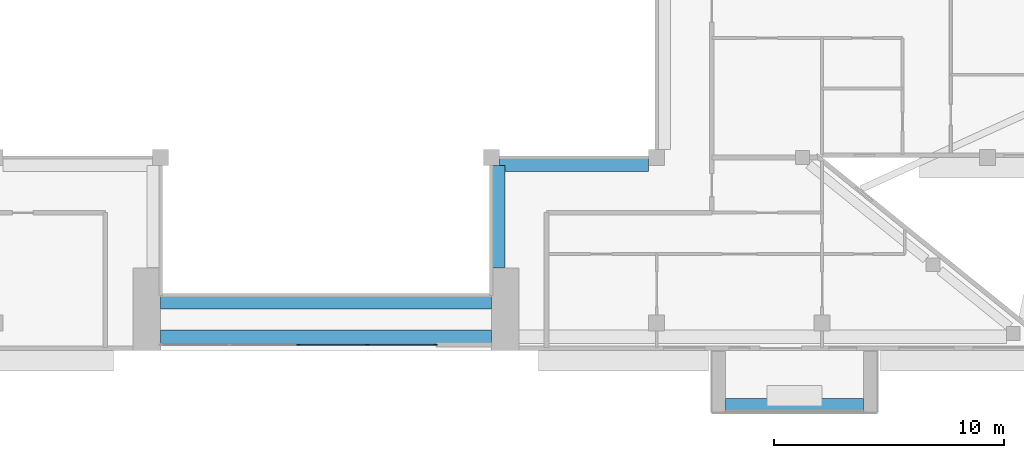
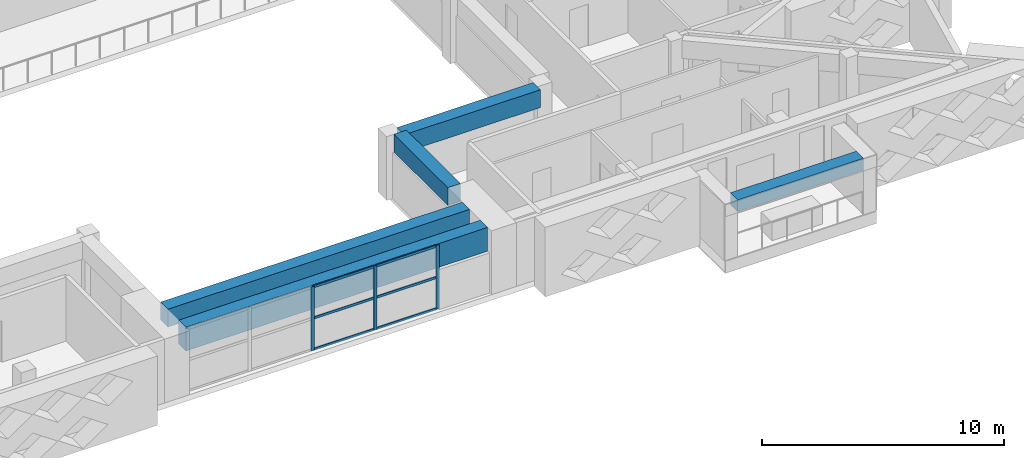
# One storey, part 4 of 19: 9 members, 5 beams, 1 element without a shape of its own.
"""IFC4 building model written with IfcOpenShell, lengths in metres."""

import ifcopenshell
import ifcopenshell.guid

model = None  # the IFC model being written
_history = None  # IfcOwnerHistory: only IFC2X3 demands one
_inside = {}  # id of a spatial element -> (the spatial element, [elements in it])
_under = {}  # id of a project, library or spatial element -> (it, [spatial elements below it])
_declared = {}  # id of a project -> (the project, [libraries it declares])
_typed = {}  # id of a type object -> (the type object, [elements of that type])
_made_of = {}  # id of a material, layer set ... -> (it, [elements and type objects made of it])


def new_model(schema):
    """Start an empty IFC model of exactly this schema.

    Asked for "IFC4X3", IfcOpenShell would pick the latest addendum, in which some entities
    have other attributes; the version numbers below select the first issue.
    IFC2X3 requires an IfcOwnerHistory on every rooted entity: one is made here for all.
    """
    global model, _history
    if schema == "IFC4X3":
        model = ifcopenshell.file(schema_version=(4, 3, 0, 0))
    else:
        model = ifcopenshell.file(schema=schema)
    _inside.clear()
    _under.clear()
    _declared.clear()
    _typed.clear()
    _made_of.clear()
    _history = None
    if model.schema == "IFC2X3":
        org = make("IfcOrganization", Name="unknown")
        user = make(
            "IfcPersonAndOrganization",
            ThePerson=make("IfcPerson", FamilyName="unknown"),
            TheOrganization=org,
        )
        app = make(
            "IfcApplication",
            ApplicationDeveloper=org,
            Version="unknown",
            ApplicationFullName="unknown",
            ApplicationIdentifier="unknown",
        )
        _history = make(
            "IfcOwnerHistory",
            OwningUser=user,
            OwningApplication=app,
            ChangeAction="ADDED",
            CreationDate=0,
        )
    return model


def make(cls, **values):
    """One entity of the class cls with the attributes given. An attribute that is None is left unset."""
    return model.create_entity(
        cls, **{name: value for name, value in values.items() if value is not None}
    )


def rooted(cls, **values):
    """An entity with a GlobalId (a new one), such as an element, a storey or a relation."""
    return make(cls, GlobalId=ifcopenshell.guid.new(), OwnerHistory=_history, **values)


def si_unit(unit_type, name, prefix=None):
    """IfcSIUnit, for example si_unit("LENGTHUNIT", "METRE", prefix="MILLI")."""
    return make("IfcSIUnit", UnitType=unit_type, Prefix=prefix, Name=name)


def assignment(units):
    """IfcUnitAssignment: the units of a project."""
    return None if units is None else make("IfcUnitAssignment", Units=units)


def point(xyz):
    """IfcCartesianPoint."""
    return None if xyz is None else make("IfcCartesianPoint", Coordinates=xyz)


def direction(xyz):
    """IfcDirection."""
    return None if xyz is None else make("IfcDirection", DirectionRatios=xyz)


def frame(location, z_axis=None, x_axis=None):
    """IfcAxis2Placement3D, a coordinate frame: its origin and axes. An axis left out is left unset."""
    return make(
        "IfcAxis2Placement3D",
        Location=point(location),
        Axis=direction(z_axis),
        RefDirection=direction(x_axis),
    )


def frame_2d(location, x_axis=None):
    """IfcAxis2Placement2D, a coordinate frame in the plane: its origin and x axis."""
    return make(
        "IfcAxis2Placement2D", Location=point(location), RefDirection=direction(x_axis)
    )


def origin():
    """The frame at (0, 0, 0) with its axes left unset."""
    return frame((0.0, 0.0, 0.0))


def origin_2d():
    """The frame at (0, 0) in the plane with its x axis left unset."""
    return frame_2d((0.0, 0.0))


def place(relative_to, where):
    """IfcLocalPlacement: puts the frame where relative to a parent placement (None: the world)."""
    return make(
        "IfcLocalPlacement", PlacementRelTo=relative_to, RelativePlacement=where
    )


def context(
    kind, dimensions, precision=None, world=None, true_north=None, identifier=None
):
    """IfcGeometricRepresentationContext, for example the 3D "Model" context."""
    return make(
        "IfcGeometricRepresentationContext",
        ContextIdentifier=identifier,
        ContextType=kind,
        CoordinateSpaceDimension=dimensions,
        Precision=precision,
        WorldCoordinateSystem=world,
        TrueNorth=true_north,
    )


def subcontext(parent, identifier, kind, view, scale=None):
    """IfcGeometricRepresentationSubContext, for example "Body" below "Model"."""
    return make(
        "IfcGeometricRepresentationSubContext",
        ContextIdentifier=identifier,
        ContextType=kind,
        ParentContext=parent,
        TargetScale=scale,
        TargetView=view,
    )


def project(units=None, contexts=None):
    """IfcProject with its units and contexts."""
    return rooted(
        "IfcProject",
        Name="project",
        RepresentationContexts=contexts,
        UnitsInContext=assignment(units),
    )


def spatial(cls, under=None, at=None, **own):
    """A site, building, storey or space (cls), placed at a placement, below another one or the project."""
    s = rooted(cls, ObjectPlacement=at, **own)
    if under is not None:
        _under.setdefault(under.id(), (under, []))[1].append(s)
    return s


def profile(cls, at=None, kind="AREA", **sizes):
    """A parametric profile (cls). Its sizes go by their IFC names, for example OverallWidth=200.0."""
    return make(cls, ProfileType=kind, Position=at, **sizes)


def rectangle(**sizes):
    """IfcRectangleProfileDef."""
    return profile("IfcRectangleProfileDef", **sizes)


def extrude(swept, where, along, depth):
    """IfcExtrudedAreaSolid: the profile swept, set in the frame where, extruded along a direction by depth."""
    return make(
        "IfcExtrudedAreaSolid",
        SweptArea=swept,
        Position=where,
        ExtrudedDirection=direction(along),
        Depth=depth,
    )


def shape(context_of_items, identifier, shape_type, items):
    """IfcShapeRepresentation: the items that make up one representation, for example the "Body"."""
    return make(
        "IfcShapeRepresentation",
        ContextOfItems=context_of_items,
        RepresentationIdentifier=identifier,
        RepresentationType=shape_type,
        Items=items,
    )


def source(mapping_origin, context_of_items, identifier, shape_type, items):
    """IfcRepresentationMap: a shape defined once, which mapped items show again and again."""
    return make(
        "IfcRepresentationMap",
        MappingOrigin=mapping_origin,
        MappedRepresentation=shape(context_of_items, identifier, shape_type, items),
    )


def transform(
    local_origin,
    x_axis=None,
    y_axis=None,
    z_axis=None,
    scale=None,
    scale2=None,
    scale3=None,
    uniform=True,
):
    """IfcCartesianTransformationOperator3D, or its non-uniform kind. x_axis, y_axis, z_axis: its Axis1, 2, 3."""
    if uniform:
        return make(
            "IfcCartesianTransformationOperator3D",
            Axis1=direction(x_axis),
            Axis2=direction(y_axis),
            LocalOrigin=point(local_origin),
            Scale=scale,
            Axis3=direction(z_axis),
        )
    return make(
        "IfcCartesianTransformationOperator3DnonUniform",
        Axis1=direction(x_axis),
        Axis2=direction(y_axis),
        LocalOrigin=point(local_origin),
        Scale=scale,
        Axis3=direction(z_axis),
        Scale2=scale2,
        Scale3=scale3,
    )


def mapped(mapping_source, mapping_target):
    """IfcMappedItem: shows the shape of a source again, moved by a transform."""
    return make(
        "IfcMappedItem", MappingSource=mapping_source, MappingTarget=mapping_target
    )


def material(Name=None, Category=None):
    """IfcMaterial."""
    return make("IfcMaterial", Name=Name, Category=Category)


def layer(
    of_material, thickness, ventilated=None, Name=None, Category=None, Priority=None
):
    """IfcMaterialLayer: one layer of a wall or slab, of a material (None: an air gap)."""
    return make(
        "IfcMaterialLayer",
        Material=of_material,
        LayerThickness=thickness,
        IsVentilated=ventilated,
        Name=Name,
        Category=Category,
        Priority=Priority,
    )


def layer_set(layers, Name=None):
    """IfcMaterialLayerSet."""
    return make("IfcMaterialLayerSet", MaterialLayers=layers, LayerSetName=Name)


def material_profile(
    of_material, cross_section, Name=None, Category=None, Priority=None
):
    """IfcMaterialProfile: a cross section and its material."""
    return make(
        "IfcMaterialProfile",
        Name=Name,
        Material=of_material,
        Profile=cross_section,
        Priority=Priority,
        Category=Category,
    )


def profile_set(profiles, Name=None, composite=None):
    """IfcMaterialProfileSet."""
    return make(
        "IfcMaterialProfileSet",
        Name=Name,
        MaterialProfiles=profiles,
        CompositeProfile=composite,
    )


def made_of(thing, what):
    """Note that an element or type object is made of a material, layer set ...; save() writes the relation."""
    if what is not None:
        _made_of.setdefault(what.id(), (what, []))[1].append(thing)
    return thing


def type_object(cls, material=None, **own):
    """A type object (cls), such as IfcWallType, which elements share."""
    return made_of(rooted(cls, **own), material)


def element(
    cls,
    number,
    at=None,
    inside=None,
    cuts=None,
    type_object=None,
    material=None,
    context=None,
    identifier="Body",
    shape_type=None,
    held_by="IfcProductDefinitionShape",
    body=None,
    shapes=None,
    **own,
):
    """One element of the class cls, such as IfcWall. Its Tag is "e" and its number.

    at: its placement. inside: the storey or other place that contains it. cuts: it is an
    opening in that element (IfcRelVoidsElement). A single representation is given by context,
    identifier, shape_type and body (its items); several are given by shapes. held_by: the class
    of the entity that holds the representations. save() writes the other relations.
    """
    e = rooted(cls, Tag="e%d" % number, ObjectPlacement=at, **own)
    if body is not None:
        shapes = [shape(context, identifier, shape_type, body)]
    if shapes is not None:
        e.Representation = make(held_by, Representations=shapes)
    if inside is not None:
        _inside.setdefault(inside.id(), (inside, []))[1].append(e)
    if cuts is not None:
        rooted(
            "IfcRelVoidsElement", RelatingBuildingElement=cuts, RelatedOpeningElement=e
        )
    if type_object is not None:
        _typed.setdefault(type_object.id(), (type_object, []))[1].append(e)
    return made_of(e, material)


def aggregate(whole, parts):
    """IfcRelAggregates: a whole, such as a stair, and the parts it consists of."""
    return rooted("IfcRelAggregates", RelatingObject=whole, RelatedObjects=parts)


def save(model, path):
    """Write the relations noted so far, then the file.

    IfcRelAggregates (storeys below a building ...), IfcRelContainedInSpatialStructure (elements
    in a storey), IfcRelDefinesByType, IfcRelAssociatesMaterial and IfcRelDeclares: one each for
    every whole, place, type object, material and project.
    """
    for whole, parts in _under.values():
        aggregate(whole, parts)
    for where, things in _inside.values():
        rooted(
            "IfcRelContainedInSpatialStructure",
            RelatedElements=things,
            RelatingStructure=where,
        )
    for kind, things in _typed.values():
        rooted("IfcRelDefinesByType", RelatedObjects=things, RelatingType=kind)
    for what, things in _made_of.values():
        rooted("IfcRelAssociatesMaterial", RelatedObjects=things, RelatingMaterial=what)
    for by, libraries in _declared.values():
        rooted("IfcRelDeclares", RelatingContext=by, RelatedDefinitions=libraries)
    model.write(path)


model = new_model("IFC4")

# Units and contexts
model_context = context("Model", 3, precision=1e-05, world=origin(), true_north=direction((0.0, 1.0)))
body_context = subcontext(model_context, "Body", "Model", "MODEL_VIEW")
ifc_project = project(units=[si_unit("LENGTHUNIT", "METRE"), si_unit("AREAUNIT", "SQUARE_METRE"), si_unit("VOLUMEUNIT", "CUBIC_METRE"), si_unit("PLANEANGLEUNIT", "RADIAN"), si_unit("MASSUNIT", "GRAM", prefix="KILO")], contexts=[model_context])

# Site, building, storey
site_placement = place(None, origin())
site = spatial("IfcSite", under=ifc_project, at=site_placement, CompositionType="ELEMENT")
building_placement = place(site_placement, origin())
building = spatial("IfcBuilding", under=site, at=building_placement, Name="Saffron Iwan Residences", CompositionType="ELEMENT")
storey_placement = place(building_placement, frame((0.0, 0.0, 264.0)))
storey = spatial("IfcBuildingStorey", under=building, at=storey_placement, Name="L71", CompositionType="ELEMENT", Elevation=264.0)

# Beams
ifc_material_1 = material(Name="Concrete C40/50", Category="concrete")
ifc_material_profile_1 = material_profile(ifc_material_1, rectangle(XDim=0.60009765625, YDim=1.199951171875, at=origin_2d()), Name="RC 600x1200")
ifc_profile_set_1 = profile_set([ifc_material_profile_1], Name="Concrete C40/50")
beam_type_1 = type_object("IfcBeamType", Name="LINTEL BEAM RC 600x1200 C40/50 TOP 3220", PredefinedType="LINTEL", material=ifc_profile_set_1)
shared_shape_1 = source(origin(), body_context, "Body", "SweptSolid", [
    extrude(rectangle(XDim=0.60009765625, YDim=1.199951171875, at=origin_2d()), origin(), (0.0, 0.0, 1.0), 14.400146484375),
])
beam_1_placement = place(storey_placement, frame((57.60009765625, 40.199951171875, 2.6201171875), z_axis=(-1.0, 0.0, 0.0), x_axis=(0.0, -1.0, 0.0)))
element("IfcBeam", 1, at=beam_1_placement, inside=storey, type_object=beam_type_1, Name="Lintel beam over the iwan", PredefinedType="LINTEL", context=body_context, shape_type="MappedRepresentation", body=[
    mapped(shared_shape_1, transform((0.0, 0.0, 0.0))),
])
ifc_material_profile_2 = material_profile(ifc_material_1, rectangle(XDim=0.60009765625, YDim=0.89990234375, at=origin_2d()), Name="RC 600x900")
ifc_profile_set_2 = profile_set([ifc_material_profile_2], Name="Concrete C40/50")
beam_type_2 = type_object("IfcBeamType", Name="BEAM RC 600x900 C40/50 TOP 3220", PredefinedType="BEAM", material=ifc_profile_set_2)
shared_shape_2 = source(origin(), body_context, "Body", "SweptSolid", [
    extrude(rectangle(XDim=0.60009765625, YDim=0.89990234375, at=origin_2d()), origin(), (0.0, 0.0, 1.0), 14.400146484375),
])
beam_2_placement = place(storey_placement, frame((57.60009765625, 41.699951171875, 2.77001953125), z_axis=(-1.0, 0.0, 0.0), x_axis=(0.0, -1.0, 0.0)))
element("IfcBeam", 2, at=beam_2_placement, inside=storey, type_object=beam_type_2, Name="Atrium edge beam", PredefinedType="BEAM", context=body_context, shape_type="MappedRepresentation", body=[
    mapped(shared_shape_2, transform((0.0, 0.0, 0.0))),
])
shared_shape_3 = source(origin(), body_context, "Body", "SweptSolid", [
    extrude(rectangle(XDim=0.60009765625, YDim=0.89990234375, at=origin_2d()), origin(), (0.0, 0.0, 1.0), 4.449951171875),
])
beam_3_placement = place(storey_placement, frame((57.89990234375, 47.64990234375, 2.77001953125), z_axis=(0.0, -1.0, 0.0), x_axis=(1.0, 0.0, 0.0)))
element("IfcBeam", 3, at=beam_3_placement, inside=storey, type_object=beam_type_2, Name="Atrium edge beam", PredefinedType="BEAM", context=body_context, shape_type="MappedRepresentation", body=[
    mapped(shared_shape_3, transform((0.0, 0.0, 0.0))),
])
shared_shape_4 = source(origin(), body_context, "Body", "SweptSolid", [
    extrude(rectangle(XDim=0.60009765625, YDim=0.89990234375, at=origin_2d()), origin(), (0.0, 0.0, 1.0), 6.5),
])
beam_4_placement = place(storey_placement, frame((64.449951171875, 47.699951171875, 2.77001953125), z_axis=(-1.0, 0.0, 0.0), x_axis=(0.0, -1.0, 0.0)))
element("IfcBeam", 4, at=beam_4_placement, inside=storey, type_object=beam_type_2, Name="Atrium edge beam", PredefinedType="BEAM", context=body_context, shape_type="MappedRepresentation", body=[
    mapped(shared_shape_4, transform((0.0, 0.0, 0.0))),
])

# Curtain wall, members
ifc_material_2 = material(Name="Clear glass, laminated double glazed", Category="glass")
ifc_layer = layer(ifc_material_2, 0.199951171875)
ifc_layer_set = layer_set([ifc_layer], Name="Clear glass, laminated double glazed")
curtain_wall_type = type_object("IfcCurtainWallType", Name="CW-B IWAN PORTAL", PredefinedType="NOTDEFINED", material=ifc_layer_set)
curtain_wall_placement = place(storey_placement, origin())
curtain_wall = element("IfcCurtainWall", 5, at=curtain_wall_placement, inside=storey, type_object=curtain_wall_type, Name="Iwan portal glazing L71.1", PredefinedType="NOTDEFINED")
ifc_material_3 = material(Name="Aluminium 6063-T6", Category="aluminium")
ifc_material_profile_3 = material_profile(ifc_material_3, rectangle(XDim=0.06005859375, YDim=0.1201171875, at=origin_2d()), Name="CW-B TRANSOM 60 x 120")
ifc_profile_set_3 = profile_set([ifc_material_profile_3], Name="Aluminium 6063-T6")
member_type_1 = type_object("IfcMemberType", Name="CW-B TRANSOM 60 x 120", PredefinedType="USERDEFINED", material=ifc_profile_set_3)
shared_shape_5 = source(origin(), body_context, "Body", "SweptSolid", [
    extrude(rectangle(XDim=0.06005859375, YDim=0.1201171875, at=origin_2d()), origin(), (0.0, 0.0, 1.0), 2.909912109375),
])
member_1_placement = place(storey_placement, frame((52.22998046875, 39.85009765625, 0.030029296875), z_axis=(1.0, 0.0, 0.0), x_axis=(0.0, 1.0, 0.0)))
member_1 = element("IfcMember", 6, at=member_1_placement, type_object=member_type_1, Name="CW-B transom 4.1", ObjectType="TRANSOM", PredefinedType="USERDEFINED", context=body_context, shape_type="MappedRepresentation", body=[
    mapped(shared_shape_5, transform((0.0, 0.0, 0.0))),
])
member_2_placement = place(storey_placement, frame((52.22998046875, 39.85009765625, 1.610107421875), z_axis=(1.0, 0.0, 0.0), x_axis=(0.0, 1.0, 0.0)))
member_2 = element("IfcMember", 7, at=member_2_placement, type_object=member_type_1, Name="CW-B transom 4.2", ObjectType="TRANSOM", PredefinedType="USERDEFINED", context=body_context, shape_type="MappedRepresentation", body=[
    mapped(shared_shape_5, transform((0.0, 0.0, 0.0))),
])
member_3_placement = place(storey_placement, frame((52.22998046875, 39.85009765625, 3.18994140625), z_axis=(1.0, 0.0, 0.0), x_axis=(0.0, 1.0, 0.0)))
member_3 = element("IfcMember", 8, at=member_3_placement, type_object=member_type_1, Name="CW-B transom 4.3", ObjectType="TRANSOM", PredefinedType="USERDEFINED", context=body_context, shape_type="MappedRepresentation", body=[
    mapped(shared_shape_5, transform((0.0, 0.0, 0.0))),
])
shared_shape_6 = source(origin(), body_context, "Body", "SweptSolid", [
    extrude(rectangle(XDim=0.06005859375, YDim=0.1201171875, at=origin_2d()), origin(), (0.0, 0.0, 1.0), 2.93994140625),
])
member_4_placement = place(storey_placement, frame((49.22998046875, 39.85009765625, 0.030029296875), z_axis=(1.0, 0.0, 0.0), x_axis=(0.0, 1.0, 0.0)))
member_4 = element("IfcMember", 9, at=member_4_placement, type_object=member_type_1, Name="CW-B transom 3.1", ObjectType="TRANSOM", PredefinedType="USERDEFINED", context=body_context, shape_type="MappedRepresentation", body=[
    mapped(shared_shape_6, transform((0.0, 0.0, 0.0))),
])
member_5_placement = place(storey_placement, frame((49.22998046875, 39.85009765625, 1.610107421875), z_axis=(1.0, 0.0, 0.0), x_axis=(0.0, 1.0, 0.0)))
member_5 = element("IfcMember", 10, at=member_5_placement, type_object=member_type_1, Name="CW-B transom 3.2", ObjectType="TRANSOM", PredefinedType="USERDEFINED", context=body_context, shape_type="MappedRepresentation", body=[
    mapped(shared_shape_6, transform((0.0, 0.0, 0.0))),
])
member_6_placement = place(storey_placement, frame((49.22998046875, 39.85009765625, 3.18994140625), z_axis=(1.0, 0.0, 0.0), x_axis=(0.0, 1.0, 0.0)))
member_6 = element("IfcMember", 11, at=member_6_placement, type_object=member_type_1, Name="CW-B transom 3.3", ObjectType="TRANSOM", PredefinedType="USERDEFINED", context=body_context, shape_type="MappedRepresentation", body=[
    mapped(shared_shape_6, transform((0.0, 0.0, 0.0))),
])

# Beam
ifc_material_4 = material(Name="Concrete C50/60 white painted", Category="concrete")
ifc_material_profile_4 = material_profile(ifc_material_4, rectangle(XDim=0.60009765625, YDim=0.60009765625, at=origin_2d()), Name="BALCONY FASCIA BEAM 600 x 600")
ifc_profile_set_4 = profile_set([ifc_material_profile_4], Name="Concrete C50/60 white painted")
beam_type_3 = type_object("IfcBeamType", Name="BALCONY FASCIA BEAM 600 x 600", PredefinedType="BEAM", material=ifc_profile_set_4)
shared_shape_7 = source(origin(), body_context, "Body", "SweptSolid", [
    extrude(rectangle(XDim=0.60009765625, YDim=0.60009765625, at=origin_2d()), origin(), (0.0, 0.0, 1.0), 6.0),
])
beam_5_placement = place(storey_placement, frame((67.800048828125, 37.199951171875, 2.550048828125), z_axis=(1.0, 0.0, 0.0), x_axis=(0.0, 1.0, 0.0)))
element("IfcBeam", 12, at=beam_5_placement, inside=storey, type_object=beam_type_3, Name="Balcony fascia beam L71 11-1", PredefinedType="BEAM", context=body_context, shape_type="MappedRepresentation", body=[
    mapped(shared_shape_7, transform((0.0, 0.0, 0.0))),
])

# Member
ifc_material_profile_5 = material_profile(ifc_material_3, rectangle(XDim=0.06005859375, YDim=0.159912109375, at=origin_2d()), Name="CW-B MULLION 60 x 160")
ifc_profile_set_5 = profile_set([ifc_material_profile_5], Name="Aluminium 6063-T6")
member_type_2 = type_object("IfcMemberType", Name="CW-B MULLION 60 x 160", PredefinedType="MULLION", material=ifc_profile_set_5)
shared_shape_8 = source(origin(), body_context, "Body", "SweptSolid", [
    extrude(rectangle(XDim=0.06005859375, YDim=0.159912109375, at=origin_2d()), origin(), (0.0, 0.0, 1.0), 3.219970703125),
])
member_7_placement = place(storey_placement, frame((49.199951171875, 39.85009765625, 0.0), z_axis=(0.0, 0.0, 1.0), x_axis=(0.0, 1.0, 0.0)))
member_7 = element("IfcMember", 13, at=member_7_placement, type_object=member_type_2, Name="CW-B mullion 3", PredefinedType="MULLION", context=body_context, shape_type="MappedRepresentation", body=[
    mapped(shared_shape_8, transform((0.0, 0.0, 0.0))),
])

member_8_placement = place(storey_placement, frame((52.199951171875, 39.85009765625, 0.0), z_axis=(0.0, 0.0, 1.0), x_axis=(0.0, 1.0, 0.0)))
member_8 = element("IfcMember", 14, at=member_8_placement, type_object=member_type_2, Name="CW-B mullion 4", PredefinedType="MULLION", context=body_context, shape_type="MappedRepresentation", body=[
    mapped(shared_shape_8, transform((0.0, 0.0, 0.0))),
])

member_9_placement = place(storey_placement, frame((55.169921875, 39.85009765625, 0.0), z_axis=(0.0, 0.0, 1.0), x_axis=(0.0, 1.0, 0.0)))
member_9 = element("IfcMember", 15, at=member_9_placement, type_object=member_type_2, Name="CW-B mullion 5", PredefinedType="MULLION", context=body_context, shape_type="MappedRepresentation", body=[
    mapped(shared_shape_8, transform((0.0, 0.0, 0.0))),
])

aggregate(curtain_wall, [member_7, member_8, member_9, member_4, member_5, member_6, member_1, member_2, member_3])

save(model, "model.ifc")
